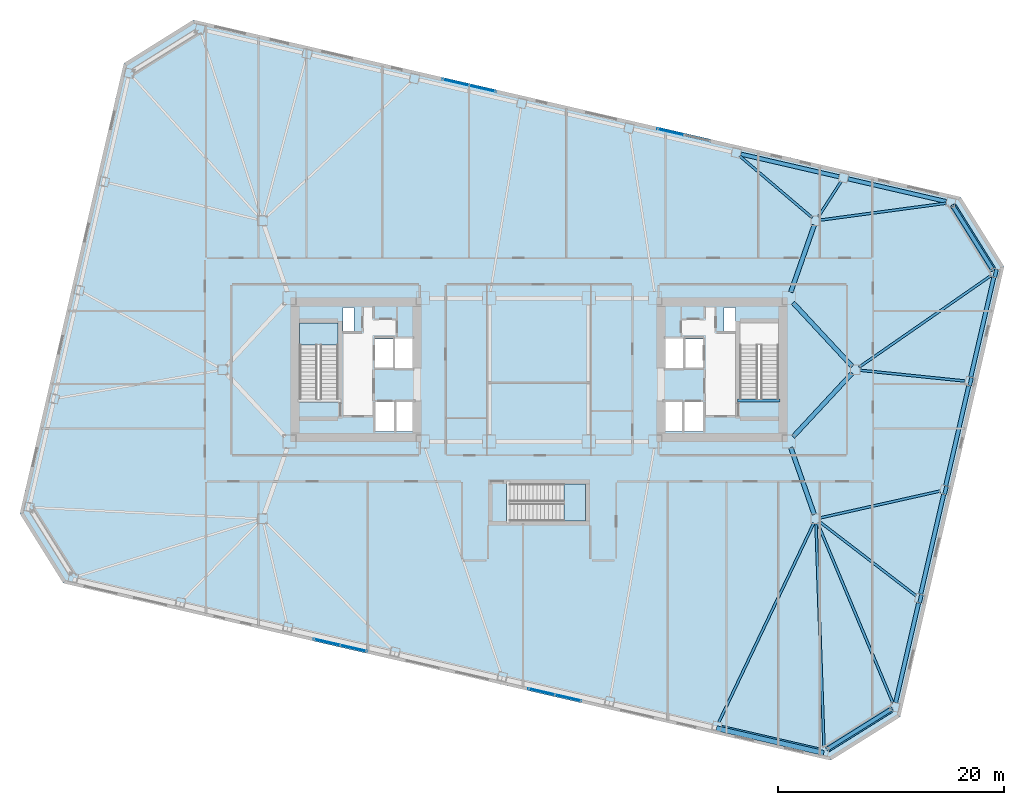
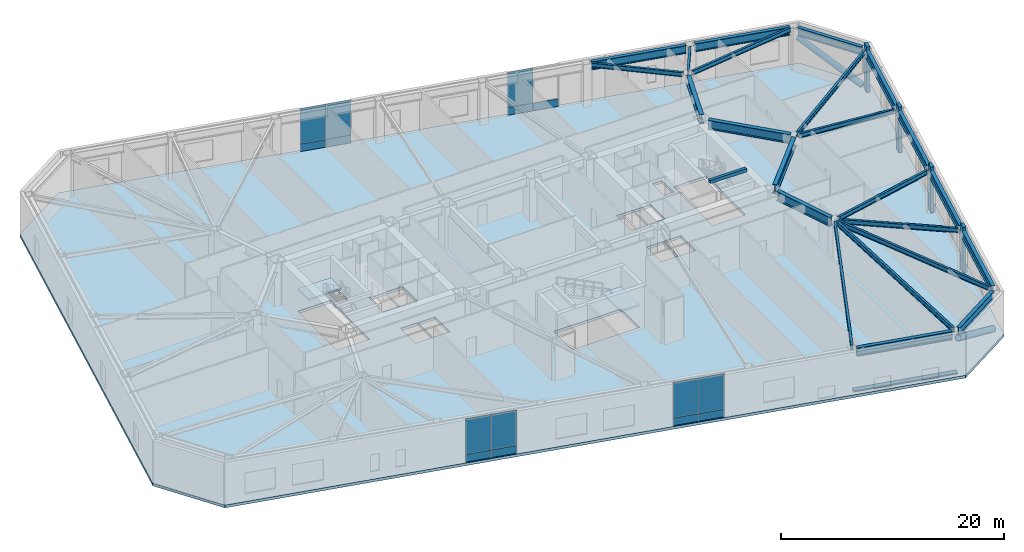
# One storey, part 8 of 21: 24 beams, 15 plates, 7 members, 3 slabs, 6 elements without a shape of their own.
"""IFC4 building model written with IfcOpenShell, lengths in metres."""

from ifc_helpers import new_model, si_unit, direction, frame, origin, origin_2d, place, context, subcontext, project, spatial, polyline, rectangle, hollow_circle, i_section, outline, extrude, material, layer, layer_set, material_profile, profile_set, type_object, element, aggregate, save


model = new_model("IFC4")

# Units and contexts
model_context = context("Model", 3, precision=1e-05, world=origin(), true_north=direction((0.0, 1.0)))
body_context = subcontext(model_context, "Body", "Model", "MODEL_VIEW")
ifc_project = project(units=[si_unit("LENGTHUNIT", "METRE"), si_unit("AREAUNIT", "SQUARE_METRE"), si_unit("VOLUMEUNIT", "CUBIC_METRE"), si_unit("PLANEANGLEUNIT", "RADIAN"), si_unit("MASSUNIT", "GRAM", prefix="KILO")], contexts=[model_context])

# Site, building, storey
site_placement = place(None, origin())
site = spatial("IfcSite", under=ifc_project, at=site_placement, CompositionType="ELEMENT")
building_placement = place(site_placement, origin())
building = spatial("IfcBuilding", under=site, at=building_placement, Name="Tavrogorsk Clinical Tower", CompositionType="ELEMENT")
storey_placement = place(building_placement, frame((0.0, 0.0, 8.39990234375)))
storey = spatial("IfcBuildingStorey", under=building, at=storey_placement, Name="L01", CompositionType="ELEMENT", Elevation=8.39990234375)

# Members
ifc_material_1 = material(Name="Anodised aluminium alloy AW-6063", Category="aluminium")
ifc_material_profile_1 = material_profile(ifc_material_1, rectangle(XDim=0.449951171875, YDim=0.1201171875, at=origin_2d()), Name="ALU-SUNSHADE-450x120")
ifc_profile_set_1 = profile_set([ifc_material_profile_1], Name="Anodised aluminium alloy AW-6063")
member_type_1 = type_object("IfcMemberType", Name="ChicagoSunshade_450x120", PredefinedType="USERDEFINED", material=ifc_profile_set_1)
member_placement = place(storey_placement, frame((15.700439453125, -31.739013671875, 0.18017578125), z_axis=(0.97437219846, -0.224941812182, 0.0), x_axis=(0.224941812182, 0.97437219846, 0.0)))
element("IfcMember", 1, at=member_placement, inside=storey, type_object=member_type_1, Name="L01 South Aluminium Sunshade S7", ObjectType="SUNSHADE", PredefinedType="USERDEFINED", context=body_context, shape_type="SweptSolid", body=[
    extrude(rectangle(XDim=0.449951171875, YDim=0.1201171875, at=origin_2d()), origin(), (0.0, 0.0, 1.0), 9.74853515625),
])
ifc_material_2 = material(Name="Structural steel S440", Category="steel")
ifc_material_profile_2 = material_profile(ifc_material_2, hollow_circle(Radius=0.304931640625, WallThickness=0.02490234375, at=origin_2d()), Name="CHS-610x25")
ifc_profile_set_2 = profile_set([ifc_material_profile_2], Name="Structural steel S440")
member_type_2 = type_object("IfcMemberType", Name="ExoBrace_CHS610", PredefinedType="BRACE", material=ifc_profile_set_2)
for number, where, z_axis, x_axis, name in (
    (2, (31.162841796875, -30.055419921875, 0.473388671875), (-0.767754391917, -0.479737904045, 0.424740788147), (0.529912682378, -0.848052208921, 0.0), "L01 Corner Exoskeleton Brace S8-E1"),
    (3, (40.152587890625, 8.8828125, 0.473388671875), (-0.479763626157, 0.767742085231, 0.424733979783), (-0.848035622997, -0.529939224938, 0.0), "L01 Corner Exoskeleton Brace E5-N1"),
):
    element("IfcMember", number, at=place(storey_placement, frame(where, z_axis=z_axis, x_axis=x_axis)), inside=storey, type_object=member_type_2, Name=name, PredefinedType="BRACE", context=body_context, shape_type="SweptSolid", body=[
        extrude(hollow_circle(Radius=0.304931640625, WallThickness=0.02490234375, at=origin_2d()), origin(), (0.0, 0.0, 1.0), 7.306884765625),
    ])

# Beams
ifc_material_3 = material(Name="Structural steel S355", Category="steel")
ifc_material_profile_3 = material_profile(ifc_material_3, i_section(OverallWidth=0.219970703125, OverallDepth=0.5, WebThickness=0.012939453125, FlangeThickness=0.02001953125, at=origin_2d()), Name="B-500x220x13x20")
ifc_profile_set_3 = profile_set([ifc_material_profile_3], Name="Structural steel S355")
beam_type_1 = type_object("IfcBeamType", Name="FloorBeam_B500", PredefinedType="BEAM", material=ifc_profile_set_3)
beam_1_placement = place(storey_placement, frame((24.323486328125, -13.570068359375, 4.4501953125), z_axis=(-0.430503237889, -0.90258903282, 0.0), x_axis=(0.90258903282, -0.430503237889, 0.0)))
element("IfcBeam", 4, at=beam_1_placement, inside=storey, type_object=beam_type_1, Name="L01 Radial Floor Beam S7", PredefinedType="BEAM", context=body_context, shape_type="SweptSolid", body=[
    extrude(i_section(OverallWidth=0.219970703125, OverallDepth=0.5, WebThickness=0.012939453125, FlangeThickness=0.02001953125, at=origin_2d()), origin(), (0.0, 0.0, 1.0), 19.527587890625),
])
beam_2_placement = place(storey_placement, frame((24.5146484375, -13.609619140625, 4.4501953125), z_axis=(0.035968399295, -0.999352927775, 0.0), x_axis=(0.999352927775, 0.035968399295, 0.0)))
element("IfcBeam", 5, at=beam_2_placement, inside=storey, type_object=beam_type_1, Name="L01 Radial Floor Beam S8", PredefinedType="BEAM", context=body_context, shape_type="SweptSolid", body=[
    extrude(i_section(OverallWidth=0.219970703125, OverallDepth=0.5, WebThickness=0.012939453125, FlangeThickness=0.02001953125, at=origin_2d()), origin(), (0.0, 0.0, 1.0), 19.751953125),
])
beam_3_placement = place(storey_placement, frame((24.90625, 13.254638671875, 4.4501953125), z_axis=(0.991091561022, 0.133182272357, 0.0), x_axis=(-0.133182272357, 0.991091561022, 0.0)))
element("IfcBeam", 6, at=beam_3_placement, inside=storey, type_object=beam_type_1, Name="L01 Radial Floor Beam N1", PredefinedType="BEAM", context=body_context, shape_type="SweptSolid", body=[
    extrude(i_section(OverallWidth=0.219970703125, OverallDepth=0.5, WebThickness=0.012939453125, FlangeThickness=0.02001953125, at=origin_2d()), origin(), (0.0, 0.0, 1.0), 11.24072265625),
])
beam_4_placement = place(storey_placement, frame((24.722412109375, 13.54443359375, 4.4501953125), z_axis=(0.54237908978, 0.840133872052, 0.0), x_axis=(-0.840133872052, 0.54237908978, 0.0)))
element("IfcBeam", 7, at=beam_4_placement, inside=storey, type_object=beam_type_1, Name="L01 Radial Floor Beam N2", PredefinedType="BEAM", context=body_context, shape_type="SweptSolid", body=[
    extrude(i_section(OverallWidth=0.219970703125, OverallDepth=0.5, WebThickness=0.012939453125, FlangeThickness=0.02001953125, at=origin_2d()), origin(), (0.0, 0.0, 1.0), 3.70361328125),
])
beam_5_placement = place(storey_placement, frame((24.187744140625, 13.465576171875, 4.4501953125), z_axis=(-0.761805700094, 0.647805584496, 0.0), x_axis=(-0.647805584496, -0.761805700094, 0.0)))
element("IfcBeam", 8, at=beam_5_placement, inside=storey, type_object=beam_type_1, Name="L01 Radial Floor Beam N3", PredefinedType="BEAM", context=body_context, shape_type="SweptSolid", body=[
    extrude(i_section(OverallWidth=0.219970703125, OverallDepth=0.5, WebThickness=0.012939453125, FlangeThickness=0.02001953125, at=origin_2d()), origin(), (0.0, 0.0, 1.0), 8.431396484375),
])
beam_6_placement = place(storey_placement, frame((24.658447265625, -13.578125, 4.4501953125), z_axis=(0.386243430459, -0.922396884441, 0.0), x_axis=(0.922396884441, 0.386243430459, 0.0)))
element("IfcBeam", 9, at=beam_6_placement, inside=storey, type_object=beam_type_1, Name="L01 Radial Floor Beam E1", PredefinedType="BEAM", context=body_context, shape_type="SweptSolid", body=[
    extrude(i_section(OverallWidth=0.219970703125, OverallDepth=0.5, WebThickness=0.012939453125, FlangeThickness=0.02001953125, at=origin_2d()), origin(), (0.0, 0.0, 1.0), 17.243408203125),
])
beam_7_placement = place(storey_placement, frame((24.825439453125, -13.449462890625, 4.4501953125), z_axis=(0.7934457884, -0.608640929342, 0.0), x_axis=(0.608640929342, 0.7934457884, 0.0)))
element("IfcBeam", 10, at=beam_7_placement, inside=storey, type_object=beam_type_1, Name="L01 Radial Floor Beam E2", PredefinedType="BEAM", context=body_context, shape_type="SweptSolid", body=[
    extrude(i_section(OverallWidth=0.219970703125, OverallDepth=0.5, WebThickness=0.012939453125, FlangeThickness=0.02001953125, at=origin_2d()), origin(), (0.0, 0.0, 1.0), 10.769287109375),
])
beam_8_placement = place(storey_placement, frame((24.900146484375, -13.1103515625, 4.4501953125), z_axis=(0.975844140255, 0.218467878484, 0.0), x_axis=(-0.218467878484, 0.975844140255, 0.0)))
element("IfcBeam", 11, at=beam_8_placement, inside=storey, type_object=beam_type_1, Name="L01 Radial Floor Beam E3", PredefinedType="BEAM", context=body_context, shape_type="SweptSolid", body=[
    extrude(i_section(OverallWidth=0.219970703125, OverallDepth=0.5, WebThickness=0.012939453125, FlangeThickness=0.02001953125, at=origin_2d()), origin(), (0.0, 0.0, 1.0), 10.876708984375),
])
beam_9_placement = place(storey_placement, frame((28.407958984375, -0.041748046875, 4.4501953125), z_axis=(0.994791610226, -0.101929643501, 0.0), x_axis=(0.101929643501, 0.994791610226, 0.0)))
element("IfcBeam", 12, at=beam_9_placement, inside=storey, type_object=beam_type_1, Name="L01 Radial Floor Beam E4", PredefinedType="BEAM", context=body_context, shape_type="SweptSolid", body=[
    extrude(i_section(OverallWidth=0.219970703125, OverallDepth=0.5, WebThickness=0.012939453125, FlangeThickness=0.02001953125, at=origin_2d()), origin(), (0.0, 0.0, 1.0), 9.365234375),
])
beam_10_placement = place(storey_placement, frame((28.3369140625, 0.233642578125, 4.4501953125), z_axis=(0.82154295725, 0.570146620961, 0.0), x_axis=(-0.570146620961, 0.82154295725, 0.0)))
element("IfcBeam", 13, at=beam_10_placement, inside=storey, type_object=beam_type_1, Name="L01 Radial Floor Beam E5", PredefinedType="BEAM", context=body_context, shape_type="SweptSolid", body=[
    extrude(i_section(OverallWidth=0.219970703125, OverallDepth=0.5, WebThickness=0.012939453125, FlangeThickness=0.02001953125, at=origin_2d()), origin(), (0.0, 0.0, 1.0), 14.212646484375),
])

# Members
ifc_material_4 = material(Name="Precast concrete B45 with limestone cladding", Category="masonry")
ifc_material_profile_4 = material_profile(ifc_material_4, rectangle(XDim=0.320068359375, YDim=0.719970703125, at=origin_2d()), Name="LIMESTONE-FIN-320x720")
ifc_profile_set_4 = profile_set([ifc_material_profile_4], Name="Precast concrete B45 with limestone cladding")
member_type_3 = type_object("IfcMemberType", Name="LimestonePleatFin_320x720", PredefinedType="USERDEFINED", material=ifc_profile_set_4)
for number, where, z_axis, x_axis, name in (
    (14, (33.772216796875, -20.2705078125, 0.0), (0.0, 0.0, 1.0), (0.974370064785, -0.224951054344, 0.0), "L01 E Pleated Stone Fin 1"),
    (15, (35.990234375, -10.6630859375, 0.0), (0.0, 0.0, 1.0), (0.974370064785, -0.224951054344, 0.0), "L01 E Pleated Stone Fin 2"),
    (16, (38.208251953125, -1.055908203125, 0.0), (0.0, 0.0, 1.0), (0.974370064785, -0.224951054344, 0.0), "L01 E Pleated Stone Fin 3"),
    (17, (40.42626953125, 8.551513671875, 0.0), (0.0, 0.0, 1.0), (0.974370064785, -0.224951054344, 0.0), "L01 E Pleated Stone Fin 4"),
):
    element("IfcMember", number, at=place(storey_placement, frame(where, z_axis=z_axis, x_axis=x_axis)), inside=storey, type_object=member_type_3, Name=name, ObjectType="FIN", PredefinedType="USERDEFINED", context=body_context, shape_type="SweptSolid", body=[
        extrude(rectangle(XDim=0.320068359375, YDim=0.719970703125, at=origin_2d()), origin(), (0.0, 0.0, 1.0), 5.0),
    ])

# Beams
ifc_material_5 = material(Name="Concrete B60", Category="concrete")
ifc_material_profile_5 = material_profile(ifc_material_5, rectangle(XDim=0.300048828125, YDim=0.35009765625, at=origin_2d()), Name="RC-SHB-300x350")
ifc_profile_set_5 = profile_set([ifc_material_profile_5], Name="Concrete B60")
beam_type_2 = type_object("IfcBeamType", Name="StairHeaderBeam_RC300x350", PredefinedType="BEAM", material=ifc_profile_set_5)
beam_11_placement = place(storey_placement, frame((17.550048828125, -2.719970703125, 4.8251953125), z_axis=(1.0, 0.0, 0.0), x_axis=(0.0, 1.0, 0.0)))
element("IfcBeam", 18, at=beam_11_placement, inside=storey, type_object=beam_type_2, Name="L02 ST-E Landing Header Beam", PredefinedType="BEAM", context=body_context, shape_type="SweptSolid", body=[
    extrude(rectangle(XDim=0.300048828125, YDim=0.35009765625, at=origin_2d()), origin(), (0.0, 0.0, 1.0), 3.800048828125),
])
ifc_material_6 = material(Name="Structural steel S440", Category="steel")
ifc_material_profile_6 = material_profile(ifc_material_6, i_section(OverallWidth=0.39990234375, OverallDepth=1.0, WebThickness=0.028076171875, FlangeThickness=0.044921875, at=origin_2d()), Name="DK-1000x400x28x45")
ifc_profile_set_6 = profile_set([ifc_material_profile_6], Name="Structural steel S440")
beam_type_3 = type_object("IfcBeamType", Name="TransferGirder_DK1000", PredefinedType="USERDEFINED", material=ifc_profile_set_6)
for number, where, z_axis, x_axis, name in (
    (19, (24.364501953125, -12.81298828125, 4.2001953125), (-0.330668611543, 0.943746930771, 0.0), (-0.943746930771, -0.330668611543, 0.0), "L01 Spine Link Girder OPG-2"),
    (20, (24.364501953125, 12.81298828125, 4.2001953125), (-0.330668611543, -0.943746930771, 0.0), (0.943746930771, -0.330668611543, 0.0), "L01 Spine Link Girder OPG-4"),
):
    element("IfcBeam", number, at=place(storey_placement, frame(where, z_axis=z_axis, x_axis=x_axis)), inside=storey, type_object=beam_type_3, Name=name, ObjectType="GIRDER", PredefinedType="USERDEFINED", context=body_context, shape_type="SweptSolid", body=[
        extrude(i_section(OverallWidth=0.39990234375, OverallDepth=1.0, WebThickness=0.028076171875, FlangeThickness=0.044921875, at=origin_2d()), origin(), (0.0, 0.0, 1.0), 6.288330078125),
    ])
for number, where, z_axis, x_axis, name in (
    (21, (27.720947265625, -0.30029296875, 4.2001953125), (-0.680671250221, -0.732589004233, 0.0), (0.732589004233, -0.680671250221, 0.0), "L01 Spine Link Girder OPG-7"),
    (22, (27.720947265625, 0.30029296875, 4.2001953125), (-0.680671250221, 0.732589004233, 0.0), (-0.732589004233, -0.680671250221, 0.0), "L01 Spine Link Girder OPG-8"),
):
    element("IfcBeam", number, at=place(storey_placement, frame(where, z_axis=z_axis, x_axis=x_axis)), inside=storey, type_object=beam_type_3, Name=name, ObjectType="GIRDER", PredefinedType="USERDEFINED", context=body_context, shape_type="SweptSolid", body=[
        extrude(i_section(OverallWidth=0.39990234375, OverallDepth=1.0, WebThickness=0.028076171875, FlangeThickness=0.044921875, at=origin_2d()), origin(), (0.0, 0.0, 1.0), 7.697998046875),
    ])
ifc_material_7 = material(Name="Structural steel S440", Category="steel")
ifc_material_profile_7 = material_profile(ifc_material_7, i_section(OverallWidth=0.360107421875, OverallDepth=0.89990234375, WebThickness=0.02392578125, FlangeThickness=0.0400390625, at=origin_2d()), Name="DK-900x360x24x40")
ifc_profile_set_7 = profile_set([ifc_material_profile_7], Name="Structural steel S440")
beam_type_4 = type_object("IfcBeamType", Name="TransferGirder_DK900", PredefinedType="USERDEFINED", material=ifc_profile_set_7)
beam_12_placement = place(storey_placement, frame((16.138427734375, -31.655517578125, 4.25), z_axis=(0.974372766602, -0.224939351168, 0.0), x_axis=(0.224939351168, 0.974372766602, 0.0)))
element("IfcBeam", 23, at=beam_12_placement, inside=storey, type_object=beam_type_4, Name="L01 Perimeter Spandrel S7-S8", ObjectType="GIRDER", PredefinedType="USERDEFINED", context=body_context, shape_type="SweptSolid", body=[
    extrude(i_section(OverallWidth=0.360107421875, OverallDepth=0.89990234375, WebThickness=0.02392578125, FlangeThickness=0.0400390625, at=origin_2d()), origin(), (0.0, 0.0, 1.0), 8.9326171875),
])
beam_13_placement = place(storey_placement, frame((25.585693359375, -33.540283203125, 4.25), z_axis=(0.848061235793, 0.529898235839, 0.0), x_axis=(-0.529898235839, 0.848061235793, 0.0)))
element("IfcBeam", 24, at=beam_13_placement, inside=storey, type_object=beam_type_4, Name="L01 Perimeter Spandrel S8-E1", ObjectType="GIRDER", PredefinedType="USERDEFINED", context=body_context, shape_type="SweptSolid", body=[
    extrude(i_section(OverallWidth=0.360107421875, OverallDepth=0.89990234375, WebThickness=0.02392578125, FlangeThickness=0.0400390625, at=origin_2d()), origin(), (0.0, 0.0, 1.0), 6.537841796875),
])
beam_14_placement = place(storey_placement, frame((31.56787109375, -29.462158203125, 4.25), z_axis=(0.224971881043, 0.974365256328, 0.0), x_axis=(-0.974365256328, 0.224971881043, 0.0)))
element("IfcBeam", 25, at=beam_14_placement, inside=storey, type_object=beam_type_4, Name="L01 Perimeter Spandrel E1-E2", ObjectType="GIRDER", PredefinedType="USERDEFINED", context=body_context, shape_type="SweptSolid", body=[
    extrude(i_section(OverallWidth=0.360107421875, OverallDepth=0.89990234375, WebThickness=0.02392578125, FlangeThickness=0.0400390625, at=origin_2d()), origin(), (0.0, 0.0, 1.0), 9.044189453125),
])
for number, where, z_axis, x_axis, name in (
    (26, (33.785888671875, -19.85498046875, 4.25), (0.224946252597, 0.974371173343, 0.0), (-0.974371173343, 0.224946252597, 0.0), "L01 Perimeter Spandrel E2-E3"),
    (27, (36.00390625, -10.24755859375, 4.25), (0.224946252597, 0.974371173343, 0.0), (-0.974371173343, 0.224946252597, 0.0), "L01 Perimeter Spandrel E3-E4"),
):
    element("IfcBeam", number, at=place(storey_placement, frame(where, z_axis=z_axis, x_axis=x_axis)), inside=storey, type_object=beam_type_4, Name=name, ObjectType="GIRDER", PredefinedType="USERDEFINED", context=body_context, shape_type="SweptSolid", body=[
        extrude(i_section(OverallWidth=0.360107421875, OverallDepth=0.89990234375, WebThickness=0.02392578125, FlangeThickness=0.0400390625, at=origin_2d()), origin(), (0.0, 0.0, 1.0), 9.0439453125),
    ])
beam_15_placement = place(storey_placement, frame((38.221923828125, -0.640380859375, 4.25), z_axis=(0.224971881043, 0.974365256328, 0.0), x_axis=(-0.974365256328, 0.224971881043, 0.0)))
element("IfcBeam", 28, at=beam_15_placement, inside=storey, type_object=beam_type_4, Name="L01 Perimeter Spandrel E4-E5", ObjectType="GIRDER", PredefinedType="USERDEFINED", context=body_context, shape_type="SweptSolid", body=[
    extrude(i_section(OverallWidth=0.360107421875, OverallDepth=0.89990234375, WebThickness=0.02392578125, FlangeThickness=0.0400390625, at=origin_2d()), origin(), (0.0, 0.0, 1.0), 9.044189453125),
])
beam_16_placement = place(storey_placement, frame((40.132080078125, 8.91552734375, 4.25), z_axis=(-0.529925092475, 0.848044454239, 0.0), x_axis=(-0.848044454239, -0.529925092475, 0.0)))
element("IfcBeam", 29, at=beam_16_placement, inside=storey, type_object=beam_type_4, Name="L01 Perimeter Spandrel E5-N1", ObjectType="GIRDER", PredefinedType="USERDEFINED", context=body_context, shape_type="SweptSolid", body=[
    extrude(i_section(OverallWidth=0.360107421875, OverallDepth=0.89990234375, WebThickness=0.02392578125, FlangeThickness=0.0400390625, at=origin_2d()), origin(), (0.0, 0.0, 1.0), 6.537841796875),
])
for number, where, z_axis, x_axis, name in (
    (30, (36.0537109375, 14.897705078125, 4.25), (-0.974366775889, 0.224965299645, 0.0), (-0.224965299645, -0.974366775889, 0.0), "L01 Perimeter Spandrel N1-N2"),
    (31, (26.554931640625, 17.090576171875, 4.25), (-0.974366775889, 0.224965299645, 0.0), (-0.224965299645, -0.974366775889, 0.0), "L01 Perimeter Spandrel N2-N3"),
):
    element("IfcBeam", number, at=place(storey_placement, frame(where, z_axis=z_axis, x_axis=x_axis)), inside=storey, type_object=beam_type_4, Name=name, ObjectType="GIRDER", PredefinedType="USERDEFINED", context=body_context, shape_type="SweptSolid", body=[
        extrude(i_section(OverallWidth=0.360107421875, OverallDepth=0.89990234375, WebThickness=0.02392578125, FlangeThickness=0.0400390625, at=origin_2d()), origin(), (0.0, 0.0, 1.0), 8.9326171875),
    ])

# Curtain wall, plates
ifc_material_8 = material(Name="Anodised aluminium and triple IGU glazing", Category="aluminium")
ifc_layer_1 = layer(ifc_material_8, 0.179931640625)
ifc_layer_set_1 = layer_set([ifc_layer_1], Name="Anodised aluminium and triple IGU glazing")
curtain_wall_type_1 = type_object("IfcCurtainWallType", Name="CW3_SouthSlot", PredefinedType="NOTDEFINED", material=ifc_layer_set_1)
curtain_wall_1_placement = place(storey_placement, origin())
curtain_wall_1 = element("IfcCurtainWall", 32, at=curtain_wall_1_placement, inside=storey, type_object=curtain_wall_type_1, Name="L01 Curtain Wall CW-L01-S-SLOT-1", PredefinedType="NOTDEFINED")
ifc_material_9 = material(Name="Honed Podolsk limestone spandrel panel", Category="masonry")
ifc_layer_2 = layer(ifc_material_9, 0.080078125)
ifc_layer_set_2 = layer_set([ifc_layer_2], Name="Honed Podolsk limestone spandrel panel")
plate_type_1 = type_object("IfcPlateType", Name="CwSpandrelStonePanel_80", PredefinedType="CURTAIN_PANEL", material=ifc_layer_set_2)
plate_1_placement = place(storey_placement, frame((-18.79638671875, -24.113525390625, 0.002197265625), z_axis=(0.0, 0.0, 1.0), x_axis=(0.974370046851, -0.224951132027, 0.0)))
plate_1 = element("IfcPlate", 33, at=plate_1_placement, type_object=plate_type_1, Name="CW-L01-S-SLOT-1 Stone Spandrel Panel 1", PredefinedType="CURTAIN_PANEL", context=body_context, shape_type="SweptSolid", body=[
    extrude(rectangle(XDim=2.39208984375, YDim=0.080078125, at=origin_2d()), origin(), (0.0, 0.0, 1.0), 0.8359375),
])
plate_2_placement = place(storey_placement, frame((-16.442138671875, -24.656982421875, 0.002197265625), z_axis=(0.0, 0.0, 1.0), x_axis=(0.974370046851, -0.224951132027, 0.0)))
plate_2 = element("IfcPlate", 34, at=plate_2_placement, type_object=plate_type_1, Name="CW-L01-S-SLOT-1 Stone Spandrel Panel 2", PredefinedType="CURTAIN_PANEL", context=body_context, shape_type="SweptSolid", body=[
    extrude(rectangle(XDim=2.39208984375, YDim=0.080078125, at=origin_2d()), origin(), (0.0, 0.0, 1.0), 0.8359375),
])

curtain_wall_2_placement = place(storey_placement, origin())
curtain_wall_2 = element("IfcCurtainWall", 35, at=curtain_wall_2_placement, inside=storey, type_object=curtain_wall_type_1, Name="L01 Curtain Wall CW-L01-S-SLOT-2", PredefinedType="NOTDEFINED")
plate_3_placement = place(storey_placement, frame((0.201171875, -28.49951171875, 0.002197265625), z_axis=(0.0, 0.0, 1.0), x_axis=(0.974370102963, -0.224950888978, 0.0)))
plate_3 = element("IfcPlate", 36, at=plate_3_placement, type_object=plate_type_1, Name="CW-L01-S-SLOT-2 Stone Spandrel Panel 1", PredefinedType="CURTAIN_PANEL", context=body_context, shape_type="SweptSolid", body=[
    extrude(rectangle(XDim=2.39208984375, YDim=0.080078125, at=origin_2d()), origin(), (0.0, 0.0, 1.0), 0.8359375),
])
plate_4_placement = place(storey_placement, frame((2.55517578125, -29.04296875, 0.002197265625), z_axis=(0.0, 0.0, 1.0), x_axis=(0.974370102963, -0.224950888978, 0.0)))
plate_4 = element("IfcPlate", 37, at=plate_4_placement, type_object=plate_type_1, Name="CW-L01-S-SLOT-2 Stone Spandrel Panel 2", PredefinedType="CURTAIN_PANEL", context=body_context, shape_type="SweptSolid", body=[
    extrude(rectangle(XDim=2.39208984375, YDim=0.080078125, at=origin_2d()), origin(), (0.0, 0.0, 1.0), 0.8359375),
])

ifc_material_10 = material(Name="Anodised aluminium and triple IGU glazing", Category="aluminium")
ifc_layer_3 = layer(ifc_material_10, 0.179931640625)
ifc_layer_set_3 = layer_set([ifc_layer_3], Name="Anodised aluminium and triple IGU glazing")
curtain_wall_type_2 = type_object("IfcCurtainWallType", Name="CW2_NorthSlot", PredefinedType="NOTDEFINED", material=ifc_layer_set_3)
curtain_wall_3_placement = place(storey_placement, origin())
curtain_wall_3 = element("IfcCurtainWall", 38, at=curtain_wall_3_placement, inside=storey, type_object=curtain_wall_type_2, Name="L01 Curtain Wall CW-L01-N-SLOT-1", PredefinedType="NOTDEFINED")
plate_5_placement = place(storey_placement, frame((-5.001220703125, 24.8994140625, 0.002197265625), z_axis=(0.0, 0.0, 1.0), x_axis=(-0.974370102963, 0.224950888978, 0.0)))
plate_5 = element("IfcPlate", 39, at=plate_5_placement, type_object=plate_type_1, Name="CW-L01-N-SLOT-1 Stone Spandrel Panel 1", PredefinedType="CURTAIN_PANEL", context=body_context, shape_type="SweptSolid", body=[
    extrude(rectangle(XDim=2.39208984375, YDim=0.080078125, at=origin_2d()), origin(), (0.0, 0.0, 1.0), 0.8359375),
])
plate_6_placement = place(storey_placement, frame((-7.355224609375, 25.44287109375, 0.002197265625), z_axis=(0.0, 0.0, 1.0), x_axis=(-0.974370102963, 0.224950888978, 0.0)))
plate_6 = element("IfcPlate", 40, at=plate_6_placement, type_object=plate_type_1, Name="CW-L01-N-SLOT-1 Stone Spandrel Panel 2", PredefinedType="CURTAIN_PANEL", context=body_context, shape_type="SweptSolid", body=[
    extrude(rectangle(XDim=2.39208984375, YDim=0.080078125, at=origin_2d()), origin(), (0.0, 0.0, 1.0), 0.8359375),
])

curtain_wall_4_placement = place(storey_placement, origin())
curtain_wall_4 = element("IfcCurtainWall", 41, at=curtain_wall_4_placement, inside=storey, type_object=curtain_wall_type_2, Name="L01 Curtain Wall CW-L01-N-SLOT-2", PredefinedType="NOTDEFINED")
plate_7_placement = place(storey_placement, frame((13.996337890625, 20.513427734375, 0.002197265625), z_axis=(0.0, 0.0, 1.0), x_axis=(-0.974370046851, 0.224951132027, 0.0)))
plate_7 = element("IfcPlate", 42, at=plate_7_placement, type_object=plate_type_1, Name="CW-L01-N-SLOT-2 Stone Spandrel Panel 1", PredefinedType="CURTAIN_PANEL", context=body_context, shape_type="SweptSolid", body=[
    extrude(rectangle(XDim=2.39208984375, YDim=0.080078125, at=origin_2d()), origin(), (0.0, 0.0, 1.0), 0.8359375),
])
plate_8_placement = place(storey_placement, frame((11.642333984375, 21.05712890625, 0.002197265625), z_axis=(0.0, 0.0, 1.0), x_axis=(-0.974370046851, 0.224951132027, 0.0)))
plate_8 = element("IfcPlate", 43, at=plate_8_placement, type_object=plate_type_1, Name="CW-L01-N-SLOT-2 Stone Spandrel Panel 2", PredefinedType="CURTAIN_PANEL", context=body_context, shape_type="SweptSolid", body=[
    extrude(rectangle(XDim=2.39208984375, YDim=0.080078125, at=origin_2d()), origin(), (0.0, 0.0, 1.0), 0.8359375),
])

# Plate
ifc_material_11 = material(Name="Triple low-E argon insulated glass", Category="glass")
ifc_layer_4 = layer(ifc_material_11, 0.048095703125)
ifc_layer_set_4 = layer_set([ifc_layer_4], Name="Triple low-E argon insulated glass")
plate_type_2 = type_object("IfcPlateType", Name="CwVisionGlassPanel_48", PredefinedType="CURTAIN_PANEL", material=ifc_layer_set_4)
plate_9_placement = place(storey_placement, frame((-18.79638671875, -24.113525390625, 0.862060546875), z_axis=(0.0, 0.0, 1.0), x_axis=(0.974370046851, -0.224951132027, 0.0)))
plate_9 = element("IfcPlate", 44, at=plate_9_placement, type_object=plate_type_2, Name="CW-L01-S-SLOT-1 Glazing Panel 1", PredefinedType="CURTAIN_PANEL", context=body_context, shape_type="SweptSolid", body=[
    extrude(rectangle(XDim=2.39208984375, YDim=0.048095703125, at=origin_2d()), origin(), (0.0, 0.0, 1.0), 3.8359375),
])

plate_10_placement = place(storey_placement, frame((-16.442138671875, -24.656982421875, 0.862060546875), z_axis=(0.0, 0.0, 1.0), x_axis=(0.974370046851, -0.224951132027, 0.0)))
plate_10 = element("IfcPlate", 45, at=plate_10_placement, type_object=plate_type_2, Name="CW-L01-S-SLOT-1 Glazing Panel 2", PredefinedType="CURTAIN_PANEL", context=body_context, shape_type="SweptSolid", body=[
    extrude(rectangle(XDim=2.39208984375, YDim=0.048095703125, at=origin_2d()), origin(), (0.0, 0.0, 1.0), 3.8359375),
])

aggregate(curtain_wall_1, [plate_1, plate_9, plate_2, plate_10])

plate_11_placement = place(storey_placement, frame((0.201171875, -28.49951171875, 0.862060546875), z_axis=(0.0, 0.0, 1.0), x_axis=(0.974370102963, -0.224950888978, 0.0)))
plate_11 = element("IfcPlate", 46, at=plate_11_placement, type_object=plate_type_2, Name="CW-L01-S-SLOT-2 Glazing Panel 1", PredefinedType="CURTAIN_PANEL", context=body_context, shape_type="SweptSolid", body=[
    extrude(rectangle(XDim=2.39208984375, YDim=0.048095703125, at=origin_2d()), origin(), (0.0, 0.0, 1.0), 3.8359375),
])

plate_12_placement = place(storey_placement, frame((2.55517578125, -29.04296875, 0.862060546875), z_axis=(0.0, 0.0, 1.0), x_axis=(0.974370102963, -0.224950888978, 0.0)))
plate_12 = element("IfcPlate", 47, at=plate_12_placement, type_object=plate_type_2, Name="CW-L01-S-SLOT-2 Glazing Panel 2", PredefinedType="CURTAIN_PANEL", context=body_context, shape_type="SweptSolid", body=[
    extrude(rectangle(XDim=2.39208984375, YDim=0.048095703125, at=origin_2d()), origin(), (0.0, 0.0, 1.0), 3.8359375),
])

aggregate(curtain_wall_2, [plate_3, plate_11, plate_4, plate_12])

plate_13_placement = place(storey_placement, frame((-5.001220703125, 24.8994140625, 0.862060546875), z_axis=(0.0, 0.0, 1.0), x_axis=(-0.974370102963, 0.224950888978, 0.0)))
plate_13 = element("IfcPlate", 48, at=plate_13_placement, type_object=plate_type_2, Name="CW-L01-N-SLOT-1 Glazing Panel 1", PredefinedType="CURTAIN_PANEL", context=body_context, shape_type="SweptSolid", body=[
    extrude(rectangle(XDim=2.39208984375, YDim=0.048095703125, at=origin_2d()), origin(), (0.0, 0.0, 1.0), 3.8359375),
])

plate_14_placement = place(storey_placement, frame((-7.355224609375, 25.44287109375, 0.862060546875), z_axis=(0.0, 0.0, 1.0), x_axis=(-0.974370102963, 0.224950888978, 0.0)))
plate_14 = element("IfcPlate", 49, at=plate_14_placement, type_object=plate_type_2, Name="CW-L01-N-SLOT-1 Glazing Panel 2", PredefinedType="CURTAIN_PANEL", context=body_context, shape_type="SweptSolid", body=[
    extrude(rectangle(XDim=2.39208984375, YDim=0.048095703125, at=origin_2d()), origin(), (0.0, 0.0, 1.0), 3.8359375),
])

aggregate(curtain_wall_3, [plate_5, plate_13, plate_6, plate_14])

plate_15_placement = place(storey_placement, frame((11.642333984375, 21.05712890625, 0.862060546875), z_axis=(0.0, 0.0, 1.0), x_axis=(-0.974370046851, 0.224951132027, 0.0)))
plate_15 = element("IfcPlate", 50, at=plate_15_placement, type_object=plate_type_2, Name="CW-L01-N-SLOT-2 Glazing Panel 2", PredefinedType="CURTAIN_PANEL", context=body_context, shape_type="SweptSolid", body=[
    extrude(rectangle(XDim=2.39208984375, YDim=0.048095703125, at=origin_2d()), origin(), (0.0, 0.0, 1.0), 3.8359375),
])

aggregate(curtain_wall_4, [plate_7, plate_8, plate_15])

# Slab
ifc_material_12 = material(Name="Concrete B60", Category="concrete")
ifc_layer_5 = layer(ifc_material_12, 0.300048828125)
ifc_layer_set_5 = layer_set([ifc_layer_5], Name="Concrete B60")
slab_type_1 = type_object("IfcSlabType", Name="PodiumSlab_300", PredefinedType="FLOOR", material=ifc_layer_set_5)
slab_1_placement = place(storey_placement, frame((0.0, 0.0, -0.2998046875)))
element("IfcSlab", 51, at=slab_1_placement, inside=storey, type_object=slab_type_1, Name="L01 Structural Slab", PredefinedType="FLOOR", context=body_context, shape_type="SweptSolid", body=[
    extrude(outline(polyline([(-42.06689453125, -18.91552734375), (25.749267578125, -34.572265625), (31.98583984375, -30.67529296875), (41.163818359375, 9.0791015625), (37.266845703125, 15.315673828125), (-30.54931640625, 30.97216796875), (-36.785888671875, 27.0751953125), (-45.9638671875, -12.67919921875), (-42.06689453125, -18.91552734375)]), holes=[polyline([(-17.800048828125, -2.8798828125), (-17.800048828125, 4.125), (-21.199951171875, 4.125), (-21.199951171875, -2.8798828125), (-17.800048828125, -2.8798828125)]), polyline([(21.199951171875, -2.8798828125), (21.199951171875, 4.125), (17.800048828125, 4.125), (17.800048828125, -2.8798828125), (21.199951171875, -2.8798828125)]), polyline([(-2.8798828125, -13.39990234375), (4.125, -13.39990234375), (4.125, -10.10009765625), (-2.8798828125, -10.10009765625), (-2.8798828125, -13.39990234375)]), polyline([(-14.6201171875, 0.169921875), (-12.860107421875, 0.169921875), (-12.860107421875, 2.72998046875), (-14.6201171875, 2.72998046875), (-14.6201171875, 0.169921875)]), polyline([(-14.530029296875, -5.47998046875), (-12.77001953125, -5.47998046875), (-12.77001953125, -2.820068359375), (-14.530029296875, -2.820068359375), (-14.530029296875, -5.47998046875)]), polyline([(-12.72998046875, -5.47998046875), (-10.969970703125, -5.47998046875), (-10.969970703125, -2.820068359375), (-12.72998046875, -2.820068359375), (-12.72998046875, -5.47998046875)]), polyline([(-12.840087890625, 0.1201171875), (-11.080078125, 0.1201171875), (-11.080078125, 2.780029296875), (-12.840087890625, 2.780029296875), (-12.840087890625, 0.1201171875)]), polyline([(12.860107421875, 0.169921875), (14.6201171875, 0.169921875), (14.6201171875, 2.72998046875), (12.860107421875, 2.72998046875), (12.860107421875, 0.169921875)]), polyline([(12.77001953125, -5.47998046875), (14.530029296875, -5.47998046875), (14.530029296875, -2.820068359375), (12.77001953125, -2.820068359375), (12.77001953125, -5.47998046875)]), polyline([(10.969970703125, -5.47998046875), (12.72998046875, -5.47998046875), (12.72998046875, -2.820068359375), (10.969970703125, -2.820068359375), (10.969970703125, -5.47998046875)]), polyline([(11.080078125, 0.1201171875), (12.840087890625, 0.1201171875), (12.840087890625, 2.780029296875), (11.080078125, 2.780029296875), (11.080078125, 0.1201171875)]), polyline([(-17.3798828125, 3.449951171875), (-16.3798828125, 3.449951171875), (-16.3798828125, 5.5), (-17.3798828125, 5.5), (-17.3798828125, 3.449951171875)]), polyline([(16.3798828125, 3.449951171875), (17.3798828125, 3.449951171875), (17.3798828125, 5.5), (16.3798828125, 5.5), (16.3798828125, 3.449951171875)])]), origin(), (0.0, 0.0, 1.0), 0.2998046875),
])

# Stair, slab
ifc_material_13 = material(Name="Concrete B60", Category="concrete")
stair_type = type_object("IfcStairType", Name="CoreStairAssembly", PredefinedType="HALF_TURN_STAIR", material=ifc_material_13)
stair_1_placement = place(storey_placement, origin())
stair_1 = element("IfcStair", 52, at=stair_1_placement, inside=storey, type_object=stair_type, Name="L01 ST-W", PredefinedType="HALF_TURN_STAIR")
ifc_material_14 = material(Name="Concrete B60", Category="concrete")
ifc_layer_6 = layer(ifc_material_14, 0.199951171875)
ifc_layer_set_6 = layer_set([ifc_layer_6], Name="Concrete B60")
slab_type_2 = type_object("IfcSlabType", Name="StairLanding_200", PredefinedType="LANDING", material=ifc_layer_set_6)
slab_2_placement = place(storey_placement, frame((0.0, 0.0, 2.300048828125)))
slab_2 = element("IfcSlab", 53, at=slab_2_placement, type_object=slab_type_2, Name="ST-W landing 1", PredefinedType="LANDING", context=body_context, shape_type="SweptSolid", body=[
    extrude(outline(polyline([(-17.800048828125, 2.18505859375), (-17.800048828125, 4.125), (-21.199951171875, 4.125), (-21.199951171875, 2.18505859375), (-17.800048828125, 2.18505859375)])), origin(), (0.0, 0.0, 1.0), 0.199951171875),
])
aggregate(stair_1, [slab_2])

stair_2_placement = place(storey_placement, origin())
stair_2 = element("IfcStair", 54, at=stair_2_placement, inside=storey, type_object=stair_type, Name="L01 ST-P", PredefinedType="HALF_TURN_STAIR")
slab_3_placement = place(storey_placement, frame((0.0, 0.0, 2.300048828125)))
slab_3 = element("IfcSlab", 55, at=slab_3_placement, type_object=slab_type_2, Name="ST-P landing 1", PredefinedType="LANDING", context=body_context, shape_type="SweptSolid", body=[
    extrude(outline(polyline([(2.18505859375, -13.39990234375), (4.125, -13.39990234375), (4.125, -10.10009765625), (2.18505859375, -10.10009765625), (2.18505859375, -13.39990234375)])), origin(), (0.0, 0.0, 1.0), 0.199951171875),
])
aggregate(stair_2, [slab_3])

save(model, "model.ifc")
